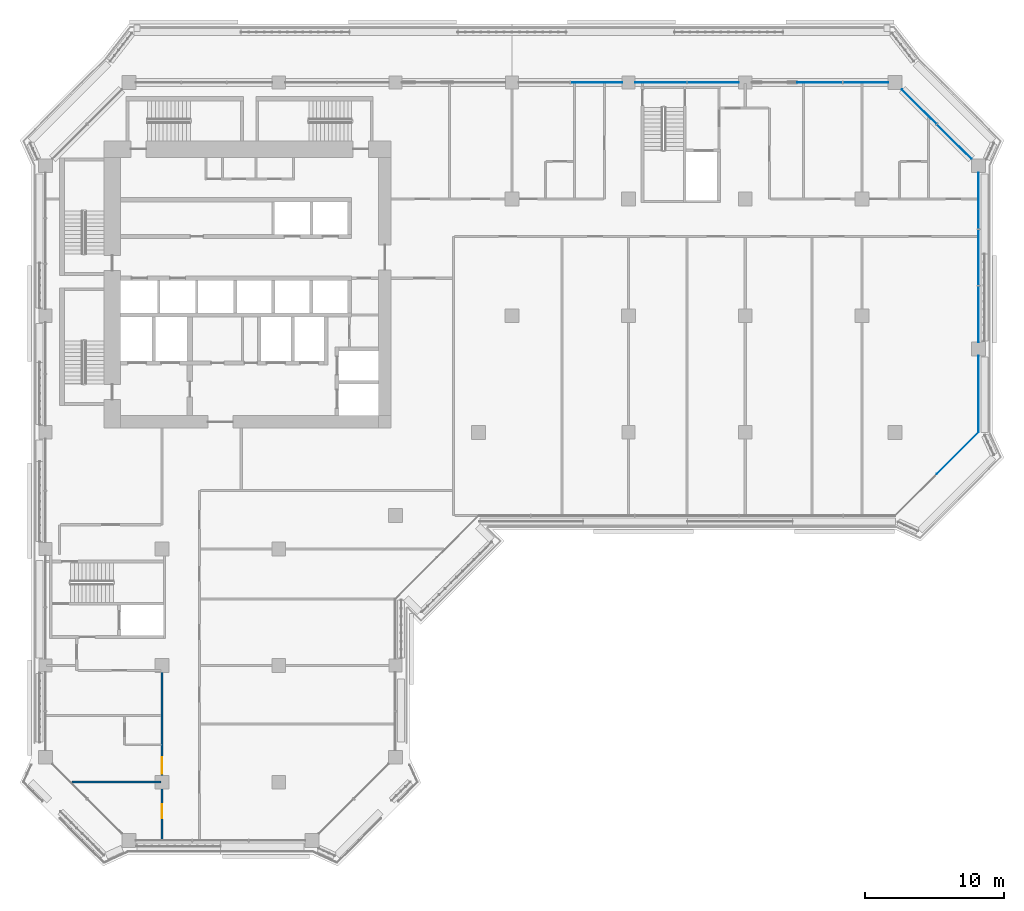
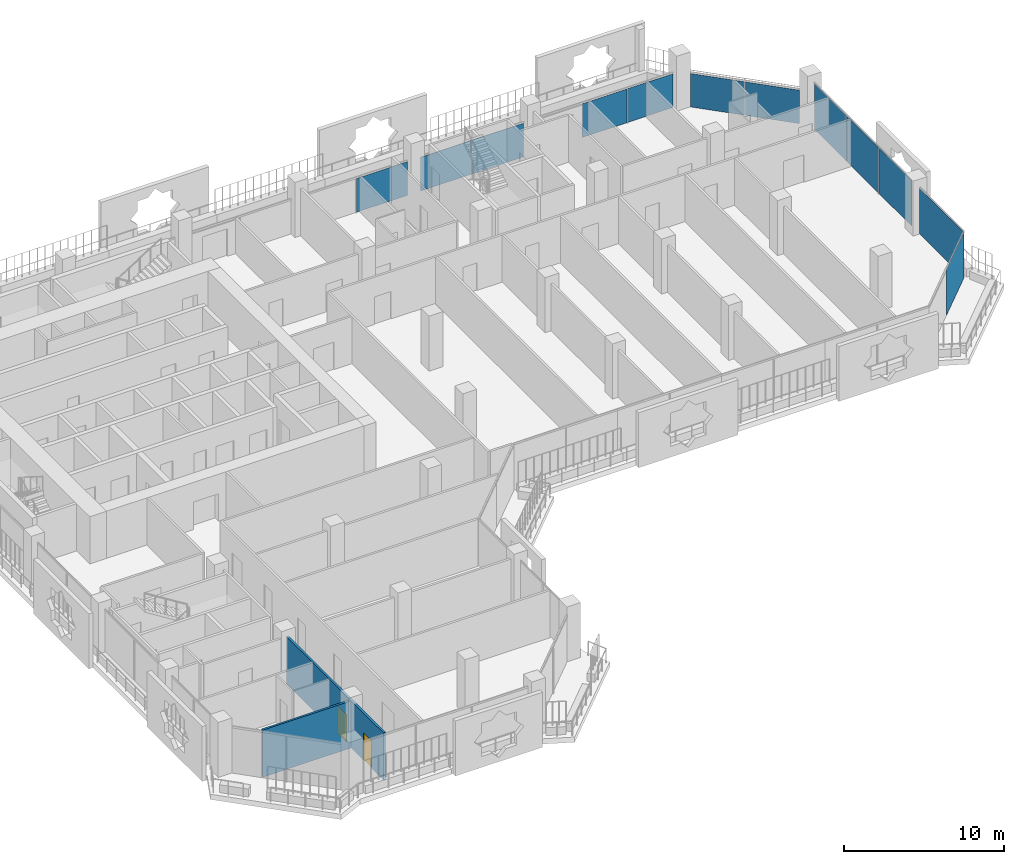
# One storey, part 9 of 22: 12 plates, 2 doors, 2 walls, 2 openings, 4 elements without a shape of their own.
"""IFC4 building model written with IfcOpenShell, lengths in metres."""

from ifc_helpers import new_model, si_unit, direction, frame, frame_2d, origin, origin_2d, place, context, subcontext, project, spatial, rectangle, extrude, material, layer, layer_set, type_object, element, fill, aggregate, save


model = new_model("IFC4")

# Units and contexts
model_context = context("Model", 3, precision=1e-05, world=origin(), true_north=direction((0.0, 1.0)))
body_context = subcontext(model_context, "Body", "Model", "MODEL_VIEW")
ifc_project = project(units=[si_unit("LENGTHUNIT", "METRE"), si_unit("AREAUNIT", "SQUARE_METRE"), si_unit("VOLUMEUNIT", "CUBIC_METRE"), si_unit("PLANEANGLEUNIT", "RADIAN"), si_unit("MASSUNIT", "GRAM", prefix="KILO")], contexts=[model_context])

# Site, building, storey
site_placement = place(None, origin())
site = spatial("IfcSite", under=ifc_project, at=site_placement, CompositionType="ELEMENT")
building_placement = place(site_placement, origin())
building = spatial("IfcBuilding", under=site, at=building_placement, Name="Kawkab Arch Medical Tower", CompositionType="ELEMENT")
storey_placement = place(building_placement, frame((0.0, 0.0, 179.39990234375)))
storey = spatial("IfcBuildingStorey", under=building, at=storey_placement, Name="L41", CompositionType="ELEMENT", Elevation=179.39990234375)

# Curtain wall, plates
ifc_material_1 = material(Name="Bronze anodised aluminium curtain wall frame", Category="aluminium")
ifc_layer_1 = layer(ifc_material_1, 0.159912109375)
ifc_layer_set_1 = layer_set([ifc_layer_1], Name="Bronze anodised aluminium curtain wall frame")
curtain_wall_type_1 = type_object("IfcCurtainWallType", Name="CW1 ward curtain wall", PredefinedType="NOTDEFINED", material=ifc_layer_set_1)
placement = place(storey_placement, origin())
curtain_wall_1 = element("IfcCurtainWall", 1, at=placement, inside=storey, type_object=curtain_wall_type_1, Name="CW1 Ward curtain wall R09", PredefinedType="NOTDEFINED")
ifc_material_2 = material(Name="Tinted insulating glass, bronze low-e coating", Category="glass")
ifc_layer_2 = layer(ifc_material_2, 0.031982421875)
ifc_layer_set_2 = layer_set([ifc_layer_2], Name="Tinted insulating glass, bronze low-e coating")
plate_type_1 = type_object("IfcPlateType", Name="CW1 glazing unit 32", PredefinedType="CURTAIN_PANEL", material=ifc_layer_set_2)
plate_1_placement = place(storey_placement, frame((67.199951171875, -22.449951171875, 0.0), z_axis=(0.0, 0.0, 1.0), x_axis=(0.0, 1.0, 0.0)))
plate_1 = element("IfcPlate", 2, at=plate_1_placement, type_object=plate_type_1, Name="CW1 glazing unit 1.1", PredefinedType="CURTAIN_PANEL", context=body_context, shape_type="SweptSolid", body=[
    extrude(rectangle(XDim=5.5, YDim=0.031982421875, at=origin_2d()), origin(), (0.0, 0.0, 1.0), 3.47998046875),
])
plate_2_placement = place(storey_placement, frame((67.199951171875, -16.681640625, 0.0), z_axis=(0.0, 0.0, 1.0), x_axis=(0.0, 1.0, 0.0)))
plate_2 = element("IfcPlate", 3, at=plate_2_placement, type_object=plate_type_1, Name="CW1 glazing unit 2.1", PredefinedType="CURTAIN_PANEL", context=body_context, shape_type="SweptSolid", body=[
    extrude(rectangle(XDim=4.03662109375, YDim=0.031982421875, at=origin_2d()), origin(), (0.0, 0.0, 1.0), 3.47998046875),
])
plate_3_placement = place(storey_placement, frame((67.199951171875, -12.60009765625, 0.0), z_axis=(0.0, 0.0, 1.0), x_axis=(0.0, 1.0, 0.0)))
plate_3 = element("IfcPlate", 4, at=plate_3_placement, type_object=plate_type_1, Name="CW1 glazing unit 2.2", PredefinedType="CURTAIN_PANEL", context=body_context, shape_type="SweptSolid", body=[
    extrude(rectangle(XDim=4.006591796875, YDim=0.031982421875, at=origin_2d()), origin(), (0.0, 0.0, 1.0), 3.47998046875),
])
plate_4_placement = place(storey_placement, frame((67.199951171875, -8.518310546875, 0.0), z_axis=(0.0, 0.0, 1.0), x_axis=(0.0, 1.0, 0.0)))
plate_4 = element("IfcPlate", 5, at=plate_4_placement, type_object=plate_type_1, Name="CW1 glazing unit 2.3", PredefinedType="CURTAIN_PANEL", context=body_context, shape_type="SweptSolid", body=[
    extrude(rectangle(XDim=4.03662109375, YDim=0.031982421875, at=origin_2d()), origin(), (0.0, 0.0, 1.0), 3.47998046875),
])
aggregate(curtain_wall_1, [plate_1, plate_2, plate_3, plate_4])

curtain_wall_2 = element("IfcCurtainWall", 6, at=placement, inside=storey, type_object=curtain_wall_type_1, Name="CW1 Ward curtain wall R11", PredefinedType="NOTDEFINED")
plate_5_placement = place(storey_placement, frame((59.077392578125, 0.0, 0.0), z_axis=(0.0, 0.0, 1.0), x_axis=(-1.0, 0.0, 0.0)))
plate_5 = element("IfcPlate", 7, at=plate_5_placement, type_object=plate_type_1, Name="CW1 glazing unit 1.1", PredefinedType="CURTAIN_PANEL", context=body_context, shape_type="SweptSolid", body=[
    extrude(rectangle(XDim=3.2451171875, YDim=0.031982421875, at=origin_2d()), origin(), (0.0, 0.0, 1.0), 2.580078125),
])
plate_6_placement = place(storey_placement, frame((55.7724609375, 0.0, 0.0), z_axis=(0.0, 0.0, 1.0), x_axis=(-1.0, 0.0, 0.0)))
plate_6 = element("IfcPlate", 8, at=plate_6_placement, type_object=plate_type_1, Name="CW1 glazing unit 1.2", PredefinedType="CURTAIN_PANEL", context=body_context, shape_type="SweptSolid", body=[
    extrude(rectangle(XDim=3.2451171875, YDim=0.031982421875, at=origin_2d()), origin(), (0.0, 0.0, 1.0), 2.580078125),
])
plate_7_placement = place(storey_placement, frame((48.077392578125, 0.0, 0.0), z_axis=(0.0, 0.0, 1.0), x_axis=(-1.0, 0.0, 0.0)))
plate_7 = element("IfcPlate", 9, at=plate_7_placement, type_object=plate_type_1, Name="CW1 glazing unit 2.1", PredefinedType="CURTAIN_PANEL", context=body_context, shape_type="SweptSolid", body=[
    extrude(rectangle(XDim=3.695068359375, YDim=0.031982421875, at=origin_2d()), origin(), (0.0, 0.0, 1.0), 2.580078125),
])
plate_8_placement = place(storey_placement, frame((44.322509765625, 0.0, 0.0), z_axis=(0.0, 0.0, 1.0), x_axis=(-1.0, 0.0, 0.0)))
plate_8 = element("IfcPlate", 10, at=plate_8_placement, type_object=plate_type_1, Name="CW1 glazing unit 2.2", PredefinedType="CURTAIN_PANEL", context=body_context, shape_type="SweptSolid", body=[
    extrude(rectangle(XDim=3.695068359375, YDim=0.031982421875, at=origin_2d()), origin(), (0.0, 0.0, 1.0), 2.580078125),
])
plate_9_placement = place(storey_placement, frame((39.677490234375, 0.0, 0.0), z_axis=(0.0, 0.0, 1.0), x_axis=(-1.0, 0.0, 0.0)))
plate_9 = element("IfcPlate", 11, at=plate_9_placement, type_object=plate_type_1, Name="CW1 glazing unit 3.1", PredefinedType="CURTAIN_PANEL", context=body_context, shape_type="SweptSolid", body=[
    extrude(rectangle(XDim=3.695068359375, YDim=0.031982421875, at=origin_2d()), origin(), (0.0, 0.0, 1.0), 2.580078125),
])
aggregate(curtain_wall_2, [plate_5, plate_6, plate_7, plate_8, plate_9])

# Curtain wall, plate
ifc_material_3 = material(Name="Bronze anodised aluminium curtain wall frame", Category="aluminium")
ifc_layer_3 = layer(ifc_material_3, 0.159912109375)
ifc_layer_set_3 = layer_set([ifc_layer_3], Name="Bronze anodised aluminium curtain wall frame")
curtain_wall_type_2 = type_object("IfcCurtainWallType", Name="CW2 chamfer curtain wall", PredefinedType="NOTDEFINED", material=ifc_layer_set_3)
curtain_wall_3 = element("IfcCurtainWall", 12, at=placement, inside=storey, type_object=curtain_wall_type_2, Name="CW2 Chamfer curtain wall R08", PredefinedType="NOTDEFINED")
ifc_material_4 = material(Name="Tinted insulating glass, bronze low-e coating", Category="glass")
ifc_layer_4 = layer(ifc_material_4, 0.031982421875)
ifc_layer_set_4 = layer_set([ifc_layer_4], Name="Tinted insulating glass, bronze low-e coating")
plate_type_2 = type_object("IfcPlateType", Name="CW2 glazing unit 32", PredefinedType="CURTAIN_PANEL", material=ifc_layer_set_4)
plate_10_placement = place(storey_placement, frame((65.699951171875, -26.699951171875, 0.0), z_axis=(0.0, 0.0, 1.0), x_axis=(0.707106781187, 0.707106781187, 0.0)))
plate_10 = element("IfcPlate", 13, at=plate_10_placement, type_object=plate_type_2, Name="CW2 glazing unit 2.1", PredefinedType="CURTAIN_PANEL", context=body_context, shape_type="SweptSolid", body=[
    extrude(rectangle(XDim=4.24267578125, YDim=0.031982421875, at=origin_2d()), origin(), (0.0, 0.0, 1.0), 3.4599609375),
])
aggregate(curtain_wall_3, [plate_10])

# Curtain wall, plates
curtain_wall_4 = element("IfcCurtainWall", 14, at=placement, inside=storey, type_object=curtain_wall_type_2, Name="CW2 Chamfer curtain wall R10", PredefinedType="NOTDEFINED")
plate_11_placement = place(storey_placement, frame((65.460693359375, -4.260498046875, 0.0), z_axis=(0.0, 0.0, 1.0), x_axis=(-0.707106781187, 0.707106781187, 0.0)))
plate_11 = element("IfcPlate", 15, at=plate_11_placement, type_object=plate_type_2, Name="CW2 glazing unit 1.1", PredefinedType="CURTAIN_PANEL", context=body_context, shape_type="SweptSolid", body=[
    extrude(rectangle(XDim=3.505615234375, YDim=0.031982421875, at=origin_2d()), origin(), (0.0, 0.0, 1.0), 2.56005859375),
])
plate_12_placement = place(storey_placement, frame((62.939453125, -1.739501953125, 0.0), z_axis=(0.0, 0.0, 1.0), x_axis=(-0.707106781187, 0.707106781187, 0.0)))
plate_12 = element("IfcPlate", 16, at=plate_12_placement, type_object=plate_type_2, Name="CW2 glazing unit 1.2", PredefinedType="CURTAIN_PANEL", context=body_context, shape_type="SweptSolid", body=[
    extrude(rectangle(XDim=3.505615234375, YDim=0.031982421875, at=origin_2d()), origin(), (0.0, 0.0, 1.0), 2.56005859375),
])
aggregate(curtain_wall_4, [plate_11, plate_12])

# Wall
ifc_material_5 = material(Name="Gypsum board partition on steel studs, mineral wool", Category="steel")
ifc_layer_5 = layer(ifc_material_5, 0.14990234375)
ifc_layer_set_5 = layer_set([ifc_layer_5], Name="Gypsum board partition on steel studs, mineral wool")
wall_type = type_object("IfcWallType", Name="Partition 150", PredefinedType="PARTITIONING", material=ifc_layer_set_5)
wall_1_placement = place(storey_placement, frame((1.9130859375, -50.39990234375, 0.0), z_axis=(0.0, 0.0, 1.0), x_axis=(1.0, 0.0, 0.0)))
element("IfcWall", 17, at=wall_1_placement, inside=storey, type_object=wall_type, Name="Partition 150 w007", PredefinedType="PARTITIONING", context=body_context, shape_type="SweptSolid", body=[
    extrude(rectangle(XDim=6.411865234375, YDim=0.14990234375, at=frame_2d((3.2060546875, 0.0))), origin(), (0.0, 0.0, 1.0), 3.60009765625),
])

# Wall, openings, doors
wall_2_placement = place(storey_placement, frame((8.39990234375, -54.52001953125, 0.0), z_axis=(0.0, 0.0, 1.0), x_axis=(0.0, 1.0, 0.0)))
wall_2 = element("IfcWall", 18, at=wall_2_placement, inside=storey, type_object=wall_type, Name="Partition 150 w027", PredefinedType="PARTITIONING", context=body_context, shape_type="SweptSolid", body=[
    extrude(rectangle(XDim=12.169921875, YDim=0.14990234375, at=frame_2d((6.0849609375, 0.0))), origin(), (0.0, 0.0, 1.0), 3.60009765625),
])
opening_1_placement = place(wall_2_placement, frame((4.719970703125, 0.0, 0.0)))
opening_1 = element("IfcOpeningElement", 19, at=opening_1_placement, cuts=wall_2, Name="Opening W41-029", PredefinedType="OPENING", context=body_context, shape_type="SweptSolid", body=[
    extrude(rectangle(XDim=1.199951171875, YDim=2.10009765625, at=frame_2d((0.60009765625, 1.050048828125))), frame((0.0, 0.0849609375, 0.0), z_axis=(0.0, -1.0, 0.0), x_axis=(1.0, 0.0, 0.0)), (0.0, 0.0, 1.0), 0.169921875),
])
opening_2_placement = place(wall_2_placement, frame((1.52001953125, 0.0, 0.0)))
opening_2 = element("IfcOpeningElement", 20, at=opening_2_placement, cuts=wall_2, Name="Opening W41-019", PredefinedType="OPENING", context=body_context, shape_type="SweptSolid", body=[
    extrude(rectangle(XDim=1.0, YDim=2.10009765625, at=frame_2d((0.5, 1.050048828125))), frame((0.0, 0.0849609375, 0.0), z_axis=(0.0, -1.0, 0.0), x_axis=(1.0, 0.0, 0.0)), (0.0, 0.0, 1.0), 0.169921875),
])
ifc_material_6 = material(Name="Hollow metal door leaf")
door_type_1 = type_object("IfcDoorType", Name="Single door 1000x2100 FD30S", OperationType="NOTDEFINED", PredefinedType="DOOR", material=ifc_material_6)
door_1_placement = place(opening_2_placement, origin())
door_1 = element("IfcDoor", 21, at=door_1_placement, inside=storey, type_object=door_type_1, Name="Door W41-019", OperationType="SINGLE_SWING_LEFT", OverallHeight=2.10009765625, OverallWidth=1.0, PredefinedType="DOOR", context=body_context, shape_type="SweptSolid", body=[
    extrude(rectangle(XDim=1.0, YDim=2.10009765625, at=frame_2d((0.5, 1.050048828125))), frame((0.0, 0.02490234375, 0.0), z_axis=(0.0, -1.0, 0.0), x_axis=(1.0, 0.0, 0.0)), (0.0, 0.0, 1.0), 0.050048828125),
])
fill(opening_2, door_1)
ifc_material_7 = material(Name="Hollow metal door leaf")
door_type_2 = type_object("IfcDoorType", Name="Single door 1200x2100 FD30S", OperationType="NOTDEFINED", PredefinedType="DOOR", material=ifc_material_7)
door_2_placement = place(opening_1_placement, origin())
door_2 = element("IfcDoor", 22, at=door_2_placement, inside=storey, type_object=door_type_2, Name="Door W41-029", OperationType="SINGLE_SWING_LEFT", OverallHeight=2.10009765625, OverallWidth=1.199951171875, PredefinedType="DOOR", context=body_context, shape_type="SweptSolid", body=[
    extrude(rectangle(XDim=1.199951171875, YDim=2.10009765625, at=frame_2d((0.60009765625, 1.050048828125))), frame((0.0, 0.02490234375, 0.0), z_axis=(0.0, -1.0, 0.0), x_axis=(1.0, 0.0, 0.0)), (0.0, 0.0, 1.0), 0.050048828125),
])
fill(opening_1, door_2)

save(model, "model.ifc")
